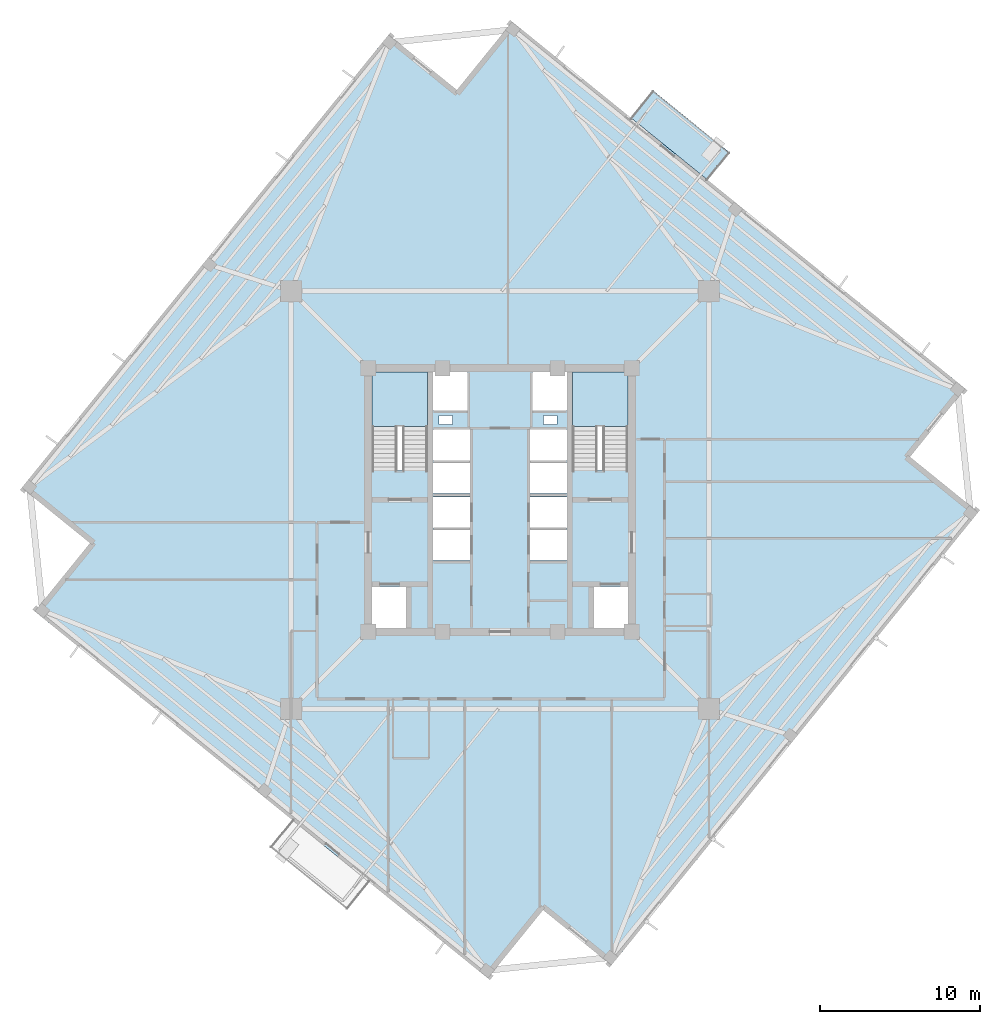
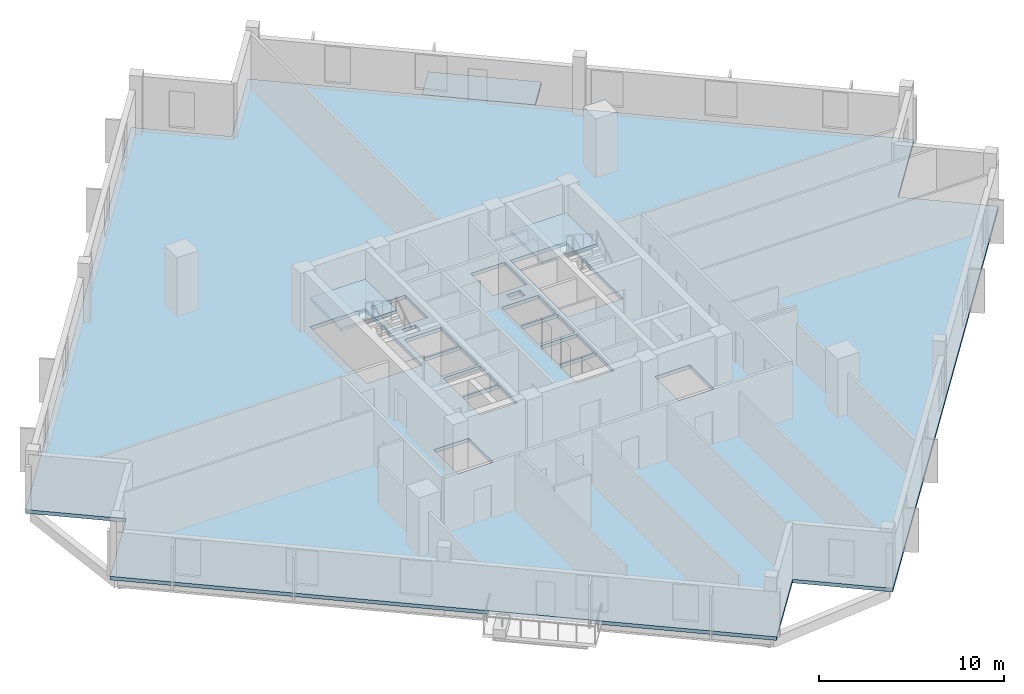
# One storey, part 2 of 10: 4 slabs, 2 elements without a shape of their own.
"""IFC4 building model written with IfcOpenShell, lengths in metres."""

from ifc_helpers import new_model, si_unit, direction, frame, origin, place, context, subcontext, project, spatial, polyline, outline, extrude, material, layer, layer_set, type_object, element, aggregate, save


model = new_model("IFC4")

# Units and contexts
model_context = context("Model", 3, precision=1e-05, world=origin(), true_north=direction((0.0, 1.0)))
body_context = subcontext(model_context, "Body", "Model", "MODEL_VIEW")
ifc_project = project(units=[si_unit("LENGTHUNIT", "METRE"), si_unit("AREAUNIT", "SQUARE_METRE"), si_unit("VOLUMEUNIT", "CUBIC_METRE"), si_unit("PLANEANGLEUNIT", "RADIAN"), si_unit("MASSUNIT", "GRAM", prefix="KILO"), si_unit("THERMODYNAMICTEMPERATUREUNIT", "KELVIN")], contexts=[model_context])

# Site, building, storey
site_placement = place(None, origin())
site = spatial("IfcSite", under=ifc_project, at=site_placement, CompositionType="ELEMENT")
building_placement = place(site_placement, origin())
building = spatial("IfcBuilding", under=site, at=building_placement, Name="Kosmvard Interchange Tower", CompositionType="ELEMENT")
storey_placement = place(building_placement, frame((0.0, 0.0, 205.60009765625)))
storey = spatial("IfcBuildingStorey", under=building, at=storey_placement, Name="L49", CompositionType="ELEMENT", Elevation=205.60009765625)

# Slab
ifc_material = material(Name="Concrete C50/60", Category="concrete")
ifc_layer_1 = layer(ifc_material, 0.239990234375, Name="Concrete C50/60")
ifc_layer_set_1 = layer_set([ifc_layer_1], Name="Concrete C50/60")
slab_type_1 = type_object("IfcSlabType", Name="High-Rise Suite Composite Slab 240 C50/60", PredefinedType="FLOOR", material=ifc_layer_set_1)
slab_1_placement = place(storey_placement, frame((0.0, 0.0, -0.239990234375)))
element("IfcSlab", 1, at=slab_1_placement, inside=storey, type_object=slab_type_1, Name="L49 Structural Floor Slab", PredefinedType="FLOOR", context=body_context, shape_type="SweptSolid", body=[
    extrude(outline(polyline([(6.97216796875, -29.12939453125), (29.9423828125, -0.763427734375), (25.66796875, 2.69775390625), (29.12939453125, 6.97216796875), (0.763427734375, 29.9423828125), (-2.69775390625, 25.66796875), (-6.97216796875, 29.12939453125), (-29.9423828125, 0.763427734375), (-25.66796875, -2.69775390625), (-29.12939453125, -6.97216796875), (-0.763427734375, -29.9423828125), (2.69775390625, -25.66796875), (6.97216796875, -29.12939453125)]), holes=[polyline([(-8.0, 1.8349609375), (-4.5400390625, 1.8349609375), (-4.5400390625, 8.0), (-8.0, 8.0), (-8.0, 1.8349609375)]), polyline([(4.5400390625, 1.8349609375), (8.0, 1.8349609375), (8.0, 8.0), (4.5400390625, 8.0), (4.5400390625, 1.8349609375)]), polyline([(-8.0, -8.0), (-5.800048828125, -8.0), (-5.800048828125, -5.39990234375), (-8.0, -5.39990234375), (-8.0, -8.0)]), polyline([(5.800048828125, -8.0), (8.0, -8.0), (8.0, -5.39990234375), (5.800048828125, -5.39990234375), (5.800048828125, -8.0)]), polyline([(-4.179931640625, -3.800048828125), (-1.8798828125, -3.800048828125), (-1.8798828125, -1.860107421875), (-4.179931640625, -1.860107421875), (-4.179931640625, -3.800048828125)]), polyline([(-4.179931640625, -1.739990234375), (-1.8798828125, -1.739990234375), (-1.8798828125, 0.199951171875), (-4.179931640625, 0.199951171875), (-4.179931640625, -1.739990234375)]), polyline([(1.8798828125, -3.800048828125), (4.179931640625, -3.800048828125), (4.179931640625, -1.860107421875), (1.8798828125, -1.860107421875), (1.8798828125, -3.800048828125)]), polyline([(1.8798828125, -1.739990234375), (4.179931640625, -1.739990234375), (4.179931640625, 0.199951171875), (1.8798828125, 0.199951171875), (1.8798828125, -1.739990234375)]), polyline([(-4.179931640625, 0.39990234375), (-1.8798828125, 0.39990234375), (-1.8798828125, 2.340087890625), (-4.179931640625, 2.340087890625), (-4.179931640625, 0.39990234375)]), polyline([(-4.179931640625, 2.4599609375), (-1.8798828125, 2.4599609375), (-1.8798828125, 4.39990234375), (-4.179931640625, 4.39990234375), (-4.179931640625, 2.4599609375)]), polyline([(1.8798828125, 0.39990234375), (4.179931640625, 0.39990234375), (4.179931640625, 2.340087890625), (1.8798828125, 2.340087890625), (1.8798828125, 0.39990234375)]), polyline([(1.8798828125, 2.4599609375), (4.179931640625, 2.4599609375), (4.179931640625, 4.39990234375), (1.8798828125, 4.39990234375), (1.8798828125, 2.4599609375)]), polyline([(-4.179931640625, 5.60009765625), (-2.0400390625, 5.60009765625), (-2.0400390625, 8.0), (-4.179931640625, 8.0), (-4.179931640625, 5.60009765625)]), polyline([(2.0400390625, 5.60009765625), (4.179931640625, 5.60009765625), (4.179931640625, 8.0), (2.0400390625, 8.0), (2.0400390625, 5.60009765625)]), polyline([(-3.81494140625, 4.739990234375), (-2.965087890625, 4.739990234375), (-2.965087890625, 5.2900390625), (-3.81494140625, 5.2900390625), (-3.81494140625, 4.739990234375)]), polyline([(2.715087890625, 4.739990234375), (3.56494140625, 4.739990234375), (3.56494140625, 5.2900390625), (2.715087890625, 5.2900390625), (2.715087890625, 4.739990234375)])]), origin(), (0.0, 0.0, 1.0), 0.239990234375),
])

# Stair, slab
stair_type = type_object("IfcStairType", Name="Dog-Leg Core Exit Stair H3900 C50/60", PredefinedType="HALF_TURN_STAIR", material=ifc_material)
stair_1_placement = place(storey_placement, origin())
stair_1 = element("IfcStair", 2, at=stair_1_placement, inside=storey, type_object=stair_type, Name="L49 Protected Exit Stair ST-1", PredefinedType="HALF_TURN_STAIR")
ifc_layer_2 = layer(ifc_material, 0.199951171875, Name="Concrete C50/60")
ifc_layer_set_2 = layer_set([ifc_layer_2], Name="Concrete C50/60")
slab_type_2 = type_object("IfcSlabType", Name="Stair Half-Landing Slab 200 C50/60", PredefinedType="LANDING", material=ifc_layer_set_2)
slab_2_placement = place(storey_placement, frame((0.0, 0.0, 1.75)))
slab_2 = element("IfcSlab", 3, at=slab_2_placement, type_object=slab_type_2, Name="ST-1 landing 1", PredefinedType="LANDING", context=body_context, shape_type="SweptSolid", body=[
    extrude(outline(polyline([(-4.5400390625, 4.60009765625), (-4.5400390625, 8.0), (-8.0, 8.0), (-8.0, 4.60009765625), (-4.5400390625, 4.60009765625)])), origin(), (0.0, 0.0, 1.0), 0.199951171875),
])
aggregate(stair_1, [slab_2])

stair_2_placement = place(storey_placement, origin())
stair_2 = element("IfcStair", 4, at=stair_2_placement, inside=storey, type_object=stair_type, Name="L49 Protected Exit Stair ST-2", PredefinedType="HALF_TURN_STAIR")
slab_3_placement = place(storey_placement, frame((0.0, 0.0, 1.75)))
slab_3 = element("IfcSlab", 5, at=slab_3_placement, type_object=slab_type_2, Name="ST-2 landing 1", PredefinedType="LANDING", context=body_context, shape_type="SweptSolid", body=[
    extrude(outline(polyline([(8.0, 4.60009765625), (8.0, 8.0), (4.5400390625, 8.0), (4.5400390625, 4.60009765625), (8.0, 4.60009765625)])), origin(), (0.0, 0.0, 1.0), 0.199951171875),
])
aggregate(stair_2, [slab_3])

# Slab
ifc_layer_3 = layer(ifc_material, 0.22998046875, Name="Concrete C50/60")
ifc_layer_set_3 = layer_set([ifc_layer_3], Name="Concrete C50/60")
slab_type_3 = type_object("IfcSlabType", Name="Tree-Planter Cantilever Balcony Slab 230 C50/60", PredefinedType="FLOOR", material=ifc_layer_set_3)
slab_4_placement = place(storey_placement, frame((0.0, 0.0, -0.22998046875)))
element("IfcSlab", 6, at=slab_4_placement, inside=storey, type_object=slab_type_3, Name="L49 Outdoor Terrace Balcony Slab BAL-L49-E", PredefinedType="FLOOR", context=body_context, shape_type="SweptSolid", body=[
    extrude(outline(polyline([(13.00341796875, 20.030517578125), (14.387939453125, 21.740234375), (9.569580078125, 25.64208984375), (8.185302734375, 23.932373046875), (13.00341796875, 20.030517578125)])), origin(), (0.0, 0.0, 1.0), 0.22998046875),
])

save(model, "model.ifc")
